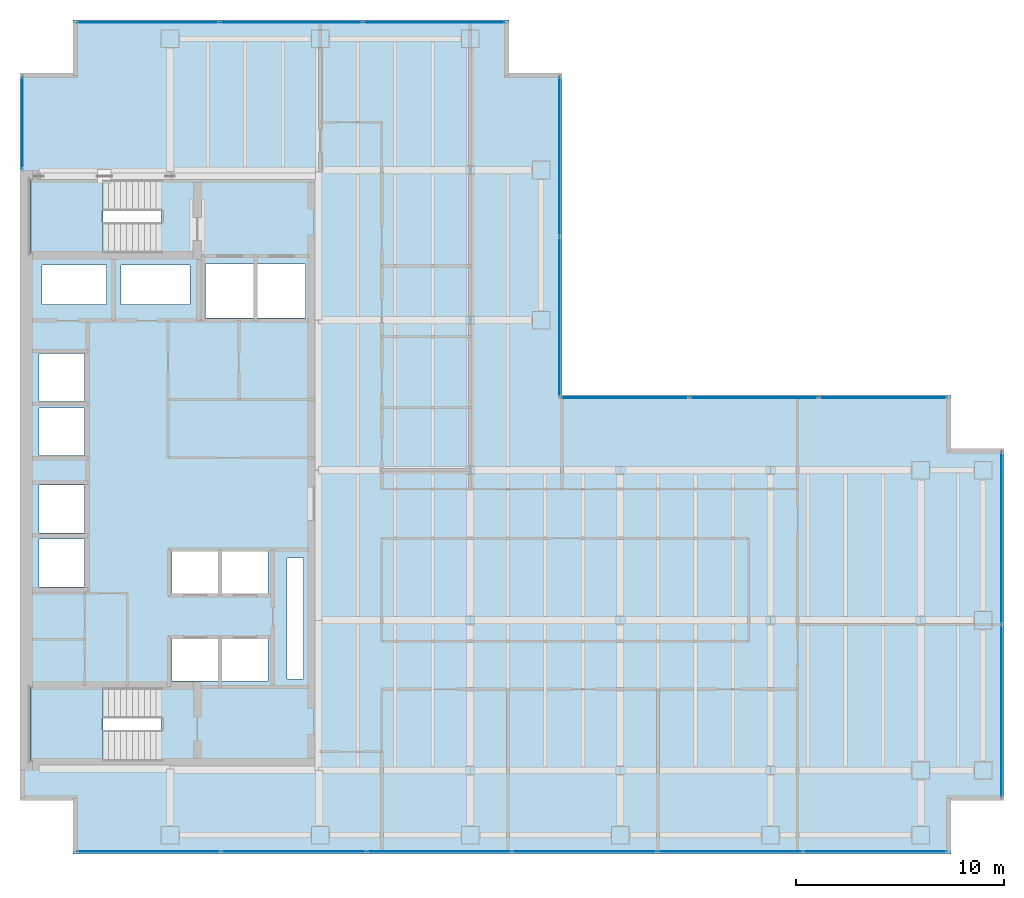
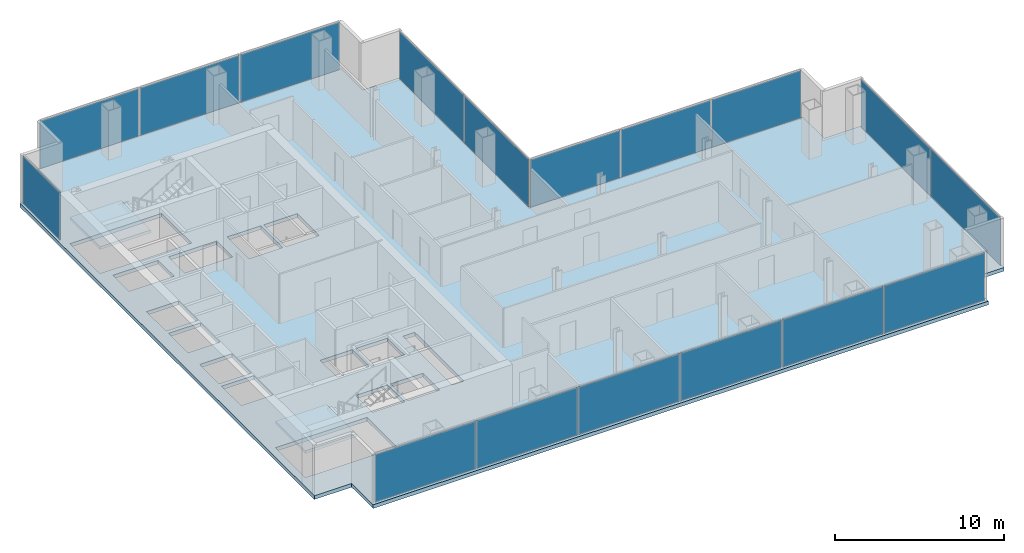
# One storey, part 19 of 23: 17 plates, 3 slabs, 15 openings, 8 elements without a shape of their own.
"""IFC4 building model written with IfcOpenShell, lengths in metres."""

import ifcopenshell
import ifcopenshell.guid

model = None  # the IFC model being written
_history = None  # IfcOwnerHistory: only IFC2X3 demands one
_inside = {}  # id of a spatial element -> (the spatial element, [elements in it])
_under = {}  # id of a project, library or spatial element -> (it, [spatial elements below it])
_declared = {}  # id of a project -> (the project, [libraries it declares])
_typed = {}  # id of a type object -> (the type object, [elements of that type])
_made_of = {}  # id of a material, layer set ... -> (it, [elements and type objects made of it])


def new_model(schema):
    """Start an empty IFC model of exactly this schema.

    Asked for "IFC4X3", IfcOpenShell would pick the latest addendum, in which some entities
    have other attributes; the version numbers below select the first issue.
    IFC2X3 requires an IfcOwnerHistory on every rooted entity: one is made here for all.
    """
    global model, _history
    if schema == "IFC4X3":
        model = ifcopenshell.file(schema_version=(4, 3, 0, 0))
    else:
        model = ifcopenshell.file(schema=schema)
    _inside.clear()
    _under.clear()
    _declared.clear()
    _typed.clear()
    _made_of.clear()
    _history = None
    if model.schema == "IFC2X3":
        org = make("IfcOrganization", Name="unknown")
        user = make(
            "IfcPersonAndOrganization",
            ThePerson=make("IfcPerson", FamilyName="unknown"),
            TheOrganization=org,
        )
        app = make(
            "IfcApplication",
            ApplicationDeveloper=org,
            Version="unknown",
            ApplicationFullName="unknown",
            ApplicationIdentifier="unknown",
        )
        _history = make(
            "IfcOwnerHistory",
            OwningUser=user,
            OwningApplication=app,
            ChangeAction="ADDED",
            CreationDate=0,
        )
    return model


def make(cls, **values):
    """One entity of the class cls with the attributes given. An attribute that is None is left unset."""
    return model.create_entity(
        cls, **{name: value for name, value in values.items() if value is not None}
    )


def rooted(cls, **values):
    """An entity with a GlobalId (a new one), such as an element, a storey or a relation."""
    return make(cls, GlobalId=ifcopenshell.guid.new(), OwnerHistory=_history, **values)


def si_unit(unit_type, name, prefix=None):
    """IfcSIUnit, for example si_unit("LENGTHUNIT", "METRE", prefix="MILLI")."""
    return make("IfcSIUnit", UnitType=unit_type, Prefix=prefix, Name=name)


def assignment(units):
    """IfcUnitAssignment: the units of a project."""
    return None if units is None else make("IfcUnitAssignment", Units=units)


def point(xyz):
    """IfcCartesianPoint."""
    return None if xyz is None else make("IfcCartesianPoint", Coordinates=xyz)


def direction(xyz):
    """IfcDirection."""
    return None if xyz is None else make("IfcDirection", DirectionRatios=xyz)


def frame(location, z_axis=None, x_axis=None):
    """IfcAxis2Placement3D, a coordinate frame: its origin and axes. An axis left out is left unset."""
    return make(
        "IfcAxis2Placement3D",
        Location=point(location),
        Axis=direction(z_axis),
        RefDirection=direction(x_axis),
    )


def frame_2d(location, x_axis=None):
    """IfcAxis2Placement2D, a coordinate frame in the plane: its origin and x axis."""
    return make(
        "IfcAxis2Placement2D", Location=point(location), RefDirection=direction(x_axis)
    )


def origin():
    """The frame at (0, 0, 0) with its axes left unset."""
    return frame((0.0, 0.0, 0.0))


def origin_2d():
    """The frame at (0, 0) in the plane with its x axis left unset."""
    return frame_2d((0.0, 0.0))


def place(relative_to, where):
    """IfcLocalPlacement: puts the frame where relative to a parent placement (None: the world)."""
    return make(
        "IfcLocalPlacement", PlacementRelTo=relative_to, RelativePlacement=where
    )


def context(
    kind, dimensions, precision=None, world=None, true_north=None, identifier=None
):
    """IfcGeometricRepresentationContext, for example the 3D "Model" context."""
    return make(
        "IfcGeometricRepresentationContext",
        ContextIdentifier=identifier,
        ContextType=kind,
        CoordinateSpaceDimension=dimensions,
        Precision=precision,
        WorldCoordinateSystem=world,
        TrueNorth=true_north,
    )


def subcontext(parent, identifier, kind, view, scale=None):
    """IfcGeometricRepresentationSubContext, for example "Body" below "Model"."""
    return make(
        "IfcGeometricRepresentationSubContext",
        ContextIdentifier=identifier,
        ContextType=kind,
        ParentContext=parent,
        TargetScale=scale,
        TargetView=view,
    )


def project(units=None, contexts=None):
    """IfcProject with its units and contexts."""
    return rooted(
        "IfcProject",
        Name="project",
        RepresentationContexts=contexts,
        UnitsInContext=assignment(units),
    )


def spatial(cls, under=None, at=None, **own):
    """A site, building, storey or space (cls), placed at a placement, below another one or the project."""
    s = rooted(cls, ObjectPlacement=at, **own)
    if under is not None:
        _under.setdefault(under.id(), (under, []))[1].append(s)
    return s


def polyline(points):
    """IfcPolyline through the points."""
    return make("IfcPolyline", Points=[point(p) for p in points])


def profile(cls, at=None, kind="AREA", **sizes):
    """A parametric profile (cls). Its sizes go by their IFC names, for example OverallWidth=200.0."""
    return make(cls, ProfileType=kind, Position=at, **sizes)


def rectangle(**sizes):
    """IfcRectangleProfileDef."""
    return profile("IfcRectangleProfileDef", **sizes)


def outline(outer, holes=None, kind="AREA"):
    """IfcArbitraryClosedProfileDef: a profile drawn as a closed curve; with holes, ...WithVoids."""
    if holes is None:
        return make("IfcArbitraryClosedProfileDef", ProfileType=kind, OuterCurve=outer)
    return make(
        "IfcArbitraryProfileDefWithVoids",
        ProfileType=kind,
        OuterCurve=outer,
        InnerCurves=holes,
    )


def extrude(swept, where, along, depth):
    """IfcExtrudedAreaSolid: the profile swept, set in the frame where, extruded along a direction by depth."""
    return make(
        "IfcExtrudedAreaSolid",
        SweptArea=swept,
        Position=where,
        ExtrudedDirection=direction(along),
        Depth=depth,
    )


def shape(context_of_items, identifier, shape_type, items):
    """IfcShapeRepresentation: the items that make up one representation, for example the "Body"."""
    return make(
        "IfcShapeRepresentation",
        ContextOfItems=context_of_items,
        RepresentationIdentifier=identifier,
        RepresentationType=shape_type,
        Items=items,
    )


def material(Name=None, Category=None):
    """IfcMaterial."""
    return make("IfcMaterial", Name=Name, Category=Category)


def layer(
    of_material, thickness, ventilated=None, Name=None, Category=None, Priority=None
):
    """IfcMaterialLayer: one layer of a wall or slab, of a material (None: an air gap)."""
    return make(
        "IfcMaterialLayer",
        Material=of_material,
        LayerThickness=thickness,
        IsVentilated=ventilated,
        Name=Name,
        Category=Category,
        Priority=Priority,
    )


def layer_set(layers, Name=None):
    """IfcMaterialLayerSet."""
    return make("IfcMaterialLayerSet", MaterialLayers=layers, LayerSetName=Name)


def made_of(thing, what):
    """Note that an element or type object is made of a material, layer set ...; save() writes the relation."""
    if what is not None:
        _made_of.setdefault(what.id(), (what, []))[1].append(thing)
    return thing


def type_object(cls, material=None, **own):
    """A type object (cls), such as IfcWallType, which elements share."""
    return made_of(rooted(cls, **own), material)


def element(
    cls,
    number,
    at=None,
    inside=None,
    cuts=None,
    type_object=None,
    material=None,
    context=None,
    identifier="Body",
    shape_type=None,
    held_by="IfcProductDefinitionShape",
    body=None,
    shapes=None,
    **own,
):
    """One element of the class cls, such as IfcWall. Its Tag is "e" and its number.

    at: its placement. inside: the storey or other place that contains it. cuts: it is an
    opening in that element (IfcRelVoidsElement). A single representation is given by context,
    identifier, shape_type and body (its items); several are given by shapes. held_by: the class
    of the entity that holds the representations. save() writes the other relations.
    """
    e = rooted(cls, Tag="e%d" % number, ObjectPlacement=at, **own)
    if body is not None:
        shapes = [shape(context, identifier, shape_type, body)]
    if shapes is not None:
        e.Representation = make(held_by, Representations=shapes)
    if inside is not None:
        _inside.setdefault(inside.id(), (inside, []))[1].append(e)
    if cuts is not None:
        rooted(
            "IfcRelVoidsElement", RelatingBuildingElement=cuts, RelatedOpeningElement=e
        )
    if type_object is not None:
        _typed.setdefault(type_object.id(), (type_object, []))[1].append(e)
    return made_of(e, material)


def aggregate(whole, parts):
    """IfcRelAggregates: a whole, such as a stair, and the parts it consists of."""
    return rooted("IfcRelAggregates", RelatingObject=whole, RelatedObjects=parts)


def save(model, path):
    """Write the relations noted so far, then the file.

    IfcRelAggregates (storeys below a building ...), IfcRelContainedInSpatialStructure (elements
    in a storey), IfcRelDefinesByType, IfcRelAssociatesMaterial and IfcRelDeclares: one each for
    every whole, place, type object, material and project.
    """
    for whole, parts in _under.values():
        aggregate(whole, parts)
    for where, things in _inside.values():
        rooted(
            "IfcRelContainedInSpatialStructure",
            RelatedElements=things,
            RelatingStructure=where,
        )
    for kind, things in _typed.values():
        rooted("IfcRelDefinesByType", RelatedObjects=things, RelatingType=kind)
    for what, things in _made_of.values():
        rooted("IfcRelAssociatesMaterial", RelatedObjects=things, RelatingMaterial=what)
    for by, libraries in _declared.values():
        rooted("IfcRelDeclares", RelatingContext=by, RelatedDefinitions=libraries)
    model.write(path)


model = new_model("IFC4")

# Units and contexts
model_context = context("Model", 3, precision=1e-05, world=origin(), true_north=direction((0.0, 1.0)))
body_context = subcontext(model_context, "Body", "Model", "MODEL_VIEW")
ifc_project = project(units=[si_unit("LENGTHUNIT", "METRE"), si_unit("AREAUNIT", "SQUARE_METRE"), si_unit("VOLUMEUNIT", "CUBIC_METRE"), si_unit("PLANEANGLEUNIT", "RADIAN"), si_unit("MASSUNIT", "GRAM", prefix="KILO")], contexts=[model_context])

# Site, building, storey
site_placement = place(None, origin())
site = spatial("IfcSite", under=ifc_project, at=site_placement, CompositionType="ELEMENT")
building_placement = place(site_placement, origin())
building = spatial("IfcBuilding", under=site, at=building_placement, Name="Cobrela Telecom Tower", CompositionType="ELEMENT")
storey_placement = place(building_placement, frame((0.0, 0.0, 133.0)))
storey = spatial("IfcBuildingStorey", under=building, at=storey_placement, Name="L33", CompositionType="ELEMENT", Elevation=133.0)

# Curtain wall, plate
ifc_material_1 = material(Name="Anodized Bronze Aluminium 6063-T6", Category="aluminium")
curtain_wall_type = type_object("IfcCurtainWallType", Name="CW-SYS-TEL", PredefinedType="USERDEFINED", material=ifc_material_1)
curtain_wall_1_placement = place(storey_placement, origin())
curtain_wall_1 = element("IfcCurtainWall", 1, at=curtain_wall_1_placement, inside=storey, type_object=curtain_wall_type, Name="L33 Unitised Bronze Curtain Wall 04", ObjectType="UNITISED CURTAIN WALL", PredefinedType="USERDEFINED")
ifc_material_2 = material(Name="Solar-Control Bronze Low-E Glass", Category="glass")
ifc_layer_1 = layer(ifc_material_2, 0.035888671875)
ifc_layer_set_1 = layer_set([ifc_layer_1], Name="Solar-Control Bronze Low-E Glass")
plate_type = type_object("IfcPlateType", Name="CW-SYS-TEL-PNL", PredefinedType="CURTAIN_PANEL", material=ifc_layer_set_1)
plate_1_placement = place(storey_placement, frame((0.1201171875, 38.264892578125, 0.070068359375), z_axis=(0.0, 0.0, 1.0), x_axis=(0.0, 1.0, 0.0)))
plate_1 = element("IfcPlate", 2, at=plate_1_placement, type_object=plate_type, Name="CW-TEL panel 1.1", PredefinedType="CURTAIN_PANEL", context=body_context, shape_type="SweptSolid", body=[
    extrude(rectangle(XDim=4.3798828125, YDim=0.035888671875, at=origin_2d()), origin(), (0.0, 0.0, 1.0), 3.43994140625),
])
aggregate(curtain_wall_1, [plate_1])

# Curtain wall, plates
curtain_wall_2_placement = place(storey_placement, origin())
curtain_wall_2 = element("IfcCurtainWall", 3, at=curtain_wall_2_placement, inside=storey, type_object=curtain_wall_type, Name="L33 Unitised Bronze Curtain Wall 07", ObjectType="UNITISED CURTAIN WALL", PredefinedType="USERDEFINED")
plate_2_placement = place(storey_placement, frame((6.132080078125, 43.080078125, 0.070068359375), z_axis=(0.0, 0.0, 1.0), x_axis=(1.0, 0.0, 0.0)))
plate_2 = element("IfcPlate", 4, at=plate_2_placement, type_object=plate_type, Name="CW-TEL panel 1.1", PredefinedType="CURTAIN_PANEL", context=body_context, shape_type="SweptSolid", body=[
    extrude(rectangle(XDim=6.774169921875, YDim=0.035888671875, at=origin_2d()), origin(), (0.0, 0.0, 1.0), 3.43994140625),
])
plate_3_placement = place(storey_placement, frame((13.0, 43.080078125, 0.070068359375), z_axis=(0.0, 0.0, 1.0), x_axis=(1.0, 0.0, 0.0)))
plate_3 = element("IfcPlate", 5, at=plate_3_placement, type_object=plate_type, Name="CW-TEL panel 2.1", PredefinedType="CURTAIN_PANEL", context=body_context, shape_type="SweptSolid", body=[
    extrude(rectangle(XDim=6.811767578125, YDim=0.035888671875, at=origin_2d()), origin(), (0.0, 0.0, 1.0), 3.43994140625),
])
plate_4_placement = place(storey_placement, frame((19.867919921875, 43.080078125, 0.070068359375), z_axis=(0.0, 0.0, 1.0), x_axis=(1.0, 0.0, 0.0)))
plate_4 = element("IfcPlate", 6, at=plate_4_placement, type_object=plate_type, Name="CW-TEL panel 3.1", PredefinedType="CURTAIN_PANEL", context=body_context, shape_type="SweptSolid", body=[
    extrude(rectangle(XDim=6.774169921875, YDim=0.035888671875, at=origin_2d()), origin(), (0.0, 0.0, 1.0), 3.43994140625),
])
aggregate(curtain_wall_2, [plate_2, plate_3, plate_4])

curtain_wall_3_placement = place(storey_placement, origin())
curtain_wall_3 = element("IfcCurtainWall", 7, at=curtain_wall_3_placement, inside=storey, type_object=curtain_wall_type, Name="L33 Unitised Bronze Curtain Wall 10", ObjectType="UNITISED CURTAIN WALL", PredefinedType="USERDEFINED")
plate_5_placement = place(storey_placement, frame((25.8798828125, 36.648681640625, 0.070068359375), z_axis=(0.0, 0.0, 1.0), x_axis=(0.0, -1.0, 0.0)))
plate_5 = element("IfcPlate", 8, at=plate_5_placement, type_object=plate_type, Name="CW-TEL panel 1.1", PredefinedType="CURTAIN_PANEL", context=body_context, shape_type="SweptSolid", body=[
    extrude(rectangle(XDim=7.612548828125, YDim=0.035888671875, at=origin_2d()), origin(), (0.0, 0.0, 1.0), 3.43994140625),
])
plate_6_placement = place(storey_placement, frame((25.8798828125, 28.961181640625, 0.070068359375), z_axis=(0.0, 0.0, 1.0), x_axis=(0.0, -1.0, 0.0)))
plate_6 = element("IfcPlate", 9, at=plate_6_placement, type_object=plate_type, Name="CW-TEL panel 2.1", PredefinedType="CURTAIN_PANEL", context=body_context, shape_type="SweptSolid", body=[
    extrude(rectangle(XDim=7.612548828125, YDim=0.035888671875, at=origin_2d()), origin(), (0.0, 0.0, 1.0), 3.43994140625),
])
aggregate(curtain_wall_3, [plate_5, plate_6])

curtain_wall_4_placement = place(storey_placement, origin())
curtain_wall_4 = element("IfcCurtainWall", 10, at=curtain_wall_4_placement, inside=storey, type_object=curtain_wall_type, Name="L33 Unitised Bronze Curtain Wall 11", ObjectType="UNITISED CURTAIN WALL", PredefinedType="USERDEFINED")
plate_7_placement = place(storey_placement, frame((29.007080078125, 25.080078125, 0.070068359375), z_axis=(0.0, 0.0, 1.0), x_axis=(1.0, 0.0, 0.0)))
plate_7 = element("IfcPlate", 11, at=plate_7_placement, type_object=plate_type, Name="CW-TEL panel 1.1", PredefinedType="CURTAIN_PANEL", context=body_context, shape_type="SweptSolid", body=[
    extrude(rectangle(XDim=6.104248046875, YDim=0.035888671875, at=origin_2d()), origin(), (0.0, 0.0, 1.0), 3.43994140625),
])
plate_8_placement = place(storey_placement, frame((35.205078125, 25.080078125, 0.070068359375), z_axis=(0.0, 0.0, 1.0), x_axis=(1.0, 0.0, 0.0)))
plate_8 = element("IfcPlate", 12, at=plate_8_placement, type_object=plate_type, Name="CW-TEL panel 2.1", PredefinedType="CURTAIN_PANEL", context=body_context, shape_type="SweptSolid", body=[
    extrude(rectangle(XDim=6.1416015625, YDim=0.035888671875, at=origin_2d()), origin(), (0.0, 0.0, 1.0), 3.43994140625),
])
plate_9_placement = place(storey_placement, frame((41.40283203125, 25.080078125, 0.070068359375), z_axis=(0.0, 0.0, 1.0), x_axis=(1.0, 0.0, 0.0)))
plate_9 = element("IfcPlate", 13, at=plate_9_placement, type_object=plate_type, Name="CW-TEL panel 3.1", PredefinedType="CURTAIN_PANEL", context=body_context, shape_type="SweptSolid", body=[
    extrude(rectangle(XDim=6.104248046875, YDim=0.035888671875, at=origin_2d()), origin(), (0.0, 0.0, 1.0), 3.43994140625),
])
aggregate(curtain_wall_4, [plate_7, plate_8, plate_9])

curtain_wall_5_placement = place(storey_placement, origin())
curtain_wall_5 = element("IfcCurtainWall", 14, at=curtain_wall_5_placement, inside=storey, type_object=curtain_wall_type, Name="L33 Unitised Bronze Curtain Wall 14", ObjectType="UNITISED CURTAIN WALL", PredefinedType="USERDEFINED")
plate_10_placement = place(storey_placement, frame((47.080078125, 18.34619140625, 0.070068359375), z_axis=(0.0, 0.0, 1.0), x_axis=(0.0, -1.0, 0.0)))
plate_10 = element("IfcPlate", 15, at=plate_10_placement, type_object=plate_type, Name="CW-TEL panel 1.1", PredefinedType="CURTAIN_PANEL", context=body_context, shape_type="SweptSolid", body=[
    extrude(rectangle(XDim=8.217529296875, YDim=0.035888671875, at=origin_2d()), origin(), (0.0, 0.0, 1.0), 3.43994140625),
])
plate_11_placement = place(storey_placement, frame((47.080078125, 10.0537109375, 0.070068359375), z_axis=(0.0, 0.0, 1.0), x_axis=(0.0, -1.0, 0.0)))
plate_11 = element("IfcPlate", 16, at=plate_11_placement, type_object=plate_type, Name="CW-TEL panel 2.1", PredefinedType="CURTAIN_PANEL", context=body_context, shape_type="SweptSolid", body=[
    extrude(rectangle(XDim=8.217529296875, YDim=0.035888671875, at=origin_2d()), origin(), (0.0, 0.0, 1.0), 3.43994140625),
])
aggregate(curtain_wall_5, [plate_10, plate_11])

curtain_wall_6_placement = place(storey_placement, origin())
curtain_wall_6 = element("IfcCurtainWall", 17, at=curtain_wall_6_placement, inside=storey, type_object=curtain_wall_type, Name="L33 Unitised Bronze Curtain Wall 17", ObjectType="UNITISED CURTAIN WALL", PredefinedType="USERDEFINED")
plate_12_placement = place(storey_placement, frame((41.02294921875, 3.320068359375, 0.070068359375), z_axis=(0.0, 0.0, 1.0), x_axis=(-1.0, 0.0, 0.0)))
plate_12 = element("IfcPlate", 18, at=plate_12_placement, type_object=plate_type, Name="CW-TEL panel 1.1", PredefinedType="CURTAIN_PANEL", context=body_context, shape_type="SweptSolid", body=[
    extrude(rectangle(XDim=6.8642578125, YDim=0.035888671875, at=origin_2d()), origin(), (0.0, 0.0, 1.0), 3.43994140625),
])
plate_13_placement = place(storey_placement, frame((34.06494140625, 3.320068359375, 0.070068359375), z_axis=(0.0, 0.0, 1.0), x_axis=(-1.0, 0.0, 0.0)))
plate_13 = element("IfcPlate", 19, at=plate_13_placement, type_object=plate_type, Name="CW-TEL panel 2.1", PredefinedType="CURTAIN_PANEL", context=body_context, shape_type="SweptSolid", body=[
    extrude(rectangle(XDim=6.901611328125, YDim=0.035888671875, at=origin_2d()), origin(), (0.0, 0.0, 1.0), 3.43994140625),
])
plate_14_placement = place(storey_placement, frame((27.08837890625, 3.320068359375, 0.070068359375), z_axis=(0.0, 0.0, 1.0), x_axis=(-1.0, 0.0, 0.0)))
plate_14 = element("IfcPlate", 20, at=plate_14_placement, type_object=plate_type, Name="CW-TEL panel 3.1", PredefinedType="CURTAIN_PANEL", context=body_context, shape_type="SweptSolid", body=[
    extrude(rectangle(XDim=6.901611328125, YDim=0.035888671875, at=origin_2d()), origin(), (0.0, 0.0, 1.0), 3.43994140625),
])
plate_15_placement = place(storey_placement, frame((20.111572265625, 3.320068359375, 0.070068359375), z_axis=(0.0, 0.0, 1.0), x_axis=(-1.0, 0.0, 0.0)))
plate_15 = element("IfcPlate", 21, at=plate_15_placement, type_object=plate_type, Name="CW-TEL panel 4.1", PredefinedType="CURTAIN_PANEL", context=body_context, shape_type="SweptSolid", body=[
    extrude(rectangle(XDim=6.901611328125, YDim=0.035888671875, at=origin_2d()), origin(), (0.0, 0.0, 1.0), 3.43994140625),
])
plate_16_placement = place(storey_placement, frame((13.135009765625, 3.320068359375, 0.070068359375), z_axis=(0.0, 0.0, 1.0), x_axis=(-1.0, 0.0, 0.0)))
plate_16 = element("IfcPlate", 22, at=plate_16_placement, type_object=plate_type, Name="CW-TEL panel 5.1", PredefinedType="CURTAIN_PANEL", context=body_context, shape_type="SweptSolid", body=[
    extrude(rectangle(XDim=6.901611328125, YDim=0.035888671875, at=origin_2d()), origin(), (0.0, 0.0, 1.0), 3.43994140625),
])
plate_17_placement = place(storey_placement, frame((6.177001953125, 3.320068359375, 0.070068359375), z_axis=(0.0, 0.0, 1.0), x_axis=(-1.0, 0.0, 0.0)))
plate_17 = element("IfcPlate", 23, at=plate_17_placement, type_object=plate_type, Name="CW-TEL panel 6.1", PredefinedType="CURTAIN_PANEL", context=body_context, shape_type="SweptSolid", body=[
    extrude(rectangle(XDim=6.8642578125, YDim=0.035888671875, at=origin_2d()), origin(), (0.0, 0.0, 1.0), 3.43994140625),
])
aggregate(curtain_wall_6, [plate_12, plate_13, plate_14, plate_15, plate_16, plate_17])

# Slab, openings
ifc_material_3 = material(Name="Concrete C40/50", Category="concrete")
ifc_layer_2 = layer(ifc_material_3, 0.27001953125)
ifc_layer_set_2 = layer_set([ifc_layer_2], Name="Concrete C40/50")
slab_type_1 = type_object("IfcSlabType", Name="SLAB-FLR-270", PredefinedType="FLOOR", material=ifc_layer_set_2)
slab_1_placement = place(storey_placement, frame((0.0, 0.0, -0.27001953125)))
slab_1 = element("IfcSlab", 24, at=slab_1_placement, inside=storey, type_object=slab_type_1, Name="L33 Structural Floor Slab", PredefinedType="FLOOR", context=body_context, shape_type="SweptSolid", body=[
    extrude(outline(polyline([(2.550048828125, 3.199951171875), (44.64990234375, 3.199951171875), (44.64990234375, 5.75), (47.199951171875, 5.75), (47.199951171875, 22.64990234375), (44.64990234375, 22.64990234375), (44.64990234375, 25.199951171875), (26.0, 25.199951171875), (26.0, 40.64990234375), (23.449951171875, 40.64990234375), (23.449951171875, 43.199951171875), (2.550048828125, 43.199951171875), (2.550048828125, 40.64990234375), (0.0, 40.64990234375), (0.0, 5.75), (2.550048828125, 5.75), (2.550048828125, 3.199951171875)])), origin(), (0.0, 0.0, 1.0), 0.27001953125),
])
opening_1_placement = place(slab_1_placement, frame((0.0, 0.0, -0.02001953125)))
element("IfcOpeningElement", 25, at=opening_1_placement, cuts=slab_1, Name="Slab Shaft Opening SLAB-L33-MAIN.1", PredefinedType="OPENING", context=body_context, shape_type="SweptSolid", body=[
    extrude(outline(polyline([(8.89990234375, 28.89990234375), (11.199951171875, 28.89990234375), (11.199951171875, 31.5), (8.89990234375, 31.5), (8.89990234375, 28.89990234375)])), origin(), (0.0, 0.0, 1.0), 0.31005859375),
])
opening_2_placement = place(slab_1_placement, frame((0.0, 0.0, -0.02001953125)))
element("IfcOpeningElement", 26, at=opening_2_placement, cuts=slab_1, Name="Slab Shaft Opening SLAB-L33-MAIN.2", PredefinedType="OPENING", context=body_context, shape_type="SweptSolid", body=[
    extrude(outline(polyline([(11.39990234375, 28.89990234375), (13.699951171875, 28.89990234375), (13.699951171875, 31.5), (11.39990234375, 31.5), (11.39990234375, 28.89990234375)])), origin(), (0.0, 0.0, 1.0), 0.31005859375),
])
opening_3_placement = place(slab_1_placement, frame((0.0, 0.0, -0.02001953125)))
element("IfcOpeningElement", 27, at=opening_3_placement, cuts=slab_1, Name="Slab Shaft Opening SLAB-L33-MAIN.3", PredefinedType="OPENING", context=body_context, shape_type="SweptSolid", body=[
    extrude(outline(polyline([(7.300048828125, 15.699951171875), (9.5, 15.699951171875), (9.5, 17.699951171875), (7.300048828125, 17.699951171875), (7.300048828125, 15.699951171875)])), origin(), (0.0, 0.0, 1.0), 0.31005859375),
])
opening_4_placement = place(slab_1_placement, frame((0.0, 0.0, -0.02001953125)))
element("IfcOpeningElement", 28, at=opening_4_placement, cuts=slab_1, Name="Slab Shaft Opening SLAB-L33-MAIN.4", PredefinedType="OPENING", context=body_context, shape_type="SweptSolid", body=[
    extrude(outline(polyline([(9.699951171875, 15.699951171875), (11.89990234375, 15.699951171875), (11.89990234375, 17.699951171875), (9.699951171875, 17.699951171875), (9.699951171875, 15.699951171875)])), origin(), (0.0, 0.0, 1.0), 0.31005859375),
])
opening_5_placement = place(slab_1_placement, frame((0.0, 0.0, -0.02001953125)))
element("IfcOpeningElement", 29, at=opening_5_placement, cuts=slab_1, Name="Slab Shaft Opening SLAB-L33-MAIN.5", PredefinedType="OPENING", context=body_context, shape_type="SweptSolid", body=[
    extrude(outline(polyline([(7.300048828125, 11.5), (9.5, 11.5), (9.5, 13.5), (7.300048828125, 13.5), (7.300048828125, 11.5)])), origin(), (0.0, 0.0, 1.0), 0.31005859375),
])
opening_6_placement = place(slab_1_placement, frame((0.0, 0.0, -0.02001953125)))
element("IfcOpeningElement", 30, at=opening_6_placement, cuts=slab_1, Name="Slab Shaft Opening SLAB-L33-MAIN.6", PredefinedType="OPENING", context=body_context, shape_type="SweptSolid", body=[
    extrude(outline(polyline([(9.699951171875, 11.5), (11.89990234375, 11.5), (11.89990234375, 13.5), (9.699951171875, 13.5), (9.699951171875, 11.5)])), origin(), (0.0, 0.0, 1.0), 0.31005859375),
])
opening_7_placement = place(slab_1_placement, frame((0.0, 0.0, -0.02001953125)))
element("IfcOpeningElement", 31, at=opening_7_placement, cuts=slab_1, Name="Slab Shaft Opening SLAB-L33-MAIN.7", PredefinedType="OPENING", context=body_context, shape_type="SweptSolid", body=[
    extrude(outline(polyline([(0.89990234375, 16.0), (3.10009765625, 16.0), (3.10009765625, 18.300048828125), (0.89990234375, 18.300048828125), (0.89990234375, 16.0)])), origin(), (0.0, 0.0, 1.0), 0.31005859375),
])
opening_8_placement = place(slab_1_placement, frame((0.0, 0.0, -0.02001953125)))
element("IfcOpeningElement", 32, at=opening_8_placement, cuts=slab_1, Name="Slab Shaft Opening SLAB-L33-MAIN.8", PredefinedType="OPENING", context=body_context, shape_type="SweptSolid", body=[
    extrude(outline(polyline([(0.89990234375, 18.60009765625), (3.10009765625, 18.60009765625), (3.10009765625, 20.89990234375), (0.89990234375, 20.89990234375), (0.89990234375, 18.60009765625)])), origin(), (0.0, 0.0, 1.0), 0.31005859375),
])
opening_9_placement = place(slab_1_placement, frame((0.0, 0.0, -0.02001953125)))
element("IfcOpeningElement", 33, at=opening_9_placement, cuts=slab_1, Name="Slab Shaft Opening SLAB-L33-MAIN.9", PredefinedType="OPENING", context=body_context, shape_type="SweptSolid", body=[
    extrude(outline(polyline([(0.89990234375, 22.300048828125), (3.10009765625, 22.300048828125), (3.10009765625, 24.60009765625), (0.89990234375, 24.60009765625), (0.89990234375, 22.300048828125)])), origin(), (0.0, 0.0, 1.0), 0.31005859375),
])
opening_10_placement = place(slab_1_placement, frame((0.0, 0.0, -0.02001953125)))
element("IfcOpeningElement", 34, at=opening_10_placement, cuts=slab_1, Name="Slab Shaft Opening SLAB-L33-MAIN.10", PredefinedType="OPENING", context=body_context, shape_type="SweptSolid", body=[
    extrude(outline(polyline([(0.89990234375, 24.89990234375), (3.10009765625, 24.89990234375), (3.10009765625, 27.199951171875), (0.89990234375, 27.199951171875), (0.89990234375, 24.89990234375)])), origin(), (0.0, 0.0, 1.0), 0.31005859375),
])
opening_11_placement = place(slab_1_placement, frame((0.0, 0.0, -0.02001953125)))
element("IfcOpeningElement", 35, at=opening_11_placement, cuts=slab_1, Name="Slab Shaft Opening SLAB-L33-MAIN.11", PredefinedType="OPENING", context=body_context, shape_type="SweptSolid", body=[
    extrude(outline(polyline([(1.050048828125, 29.550048828125), (4.14990234375, 29.550048828125), (4.14990234375, 31.449951171875), (1.050048828125, 31.449951171875), (1.050048828125, 29.550048828125)])), origin(), (0.0, 0.0, 1.0), 0.31005859375),
])
opening_12_placement = place(slab_1_placement, frame((0.0, 0.0, -0.02001953125)))
element("IfcOpeningElement", 36, at=opening_12_placement, cuts=slab_1, Name="Slab Shaft Opening SLAB-L33-MAIN.12", PredefinedType="OPENING", context=body_context, shape_type="SweptSolid", body=[
    extrude(outline(polyline([(4.85009765625, 29.550048828125), (8.14990234375, 29.550048828125), (8.14990234375, 31.449951171875), (4.85009765625, 31.449951171875), (4.85009765625, 29.550048828125)])), origin(), (0.0, 0.0, 1.0), 0.31005859375),
])
opening_13_placement = place(slab_1_placement, frame((0.0, 0.0, -0.02001953125)))
element("IfcOpeningElement", 37, at=opening_13_placement, cuts=slab_1, Name="Slab Shaft Opening SLAB-L33-MAIN.13", PredefinedType="OPENING", context=body_context, shape_type="SweptSolid", body=[
    extrude(outline(polyline([(12.800048828125, 11.60009765625), (13.60009765625, 11.60009765625), (13.60009765625, 17.39990234375), (12.800048828125, 17.39990234375), (12.800048828125, 11.60009765625)])), origin(), (0.0, 0.0, 1.0), 0.31005859375),
])
opening_14_placement = place(slab_1_placement, frame((0.0, 0.0, -0.02001953125)))
element("IfcOpeningElement", 38, at=opening_14_placement, cuts=slab_1, Name="Slab Shaft Opening SLAB-L33-MAIN.14", PredefinedType="OPENING", context=body_context, shape_type="SweptSolid", body=[
    extrude(outline(polyline([(6.7548828125, 35.550048828125), (0.47998046875, 35.550048828125), (0.47998046875, 32.0), (6.7548828125, 32.0), (6.7548828125, 35.550048828125)])), origin(), (0.0, 0.0, 1.0), 0.31005859375),
])
opening_15_placement = place(slab_1_placement, frame((0.0, 0.0, -0.02001953125)))
element("IfcOpeningElement", 39, at=opening_15_placement, cuts=slab_1, Name="Slab Shaft Opening SLAB-L33-MAIN.15", PredefinedType="OPENING", context=body_context, shape_type="SweptSolid", body=[
    extrude(outline(polyline([(6.7548828125, 11.199951171875), (0.47998046875, 11.199951171875), (0.47998046875, 7.64990234375), (6.7548828125, 7.64990234375), (6.7548828125, 11.199951171875)])), origin(), (0.0, 0.0, 1.0), 0.31005859375),
])

# Stair, slab
stair_type = type_object("IfcStairType", Name="STAIR-CORE", PredefinedType="HALF_TURN_STAIR", material=ifc_material_3)
stair_1_placement = place(storey_placement, origin())
stair_1 = element("IfcStair", 40, at=stair_1_placement, inside=storey, type_object=stair_type, Name="L33 Smokeproof Exit Stair ST1", PredefinedType="HALF_TURN_STAIR")
ifc_layer_3 = layer(ifc_material_3, 0.199951171875)
ifc_layer_set_3 = layer_set([ifc_layer_3], Name="Concrete C40/50")
slab_type_2 = type_object("IfcSlabType", Name="SLAB-LAND-200", PredefinedType="LANDING", material=ifc_layer_set_3)
slab_2_placement = place(storey_placement, frame((0.0, 0.0, 1.72509765625)))
slab_2 = element("IfcSlab", 41, at=slab_2_placement, type_object=slab_type_2, Name="ST1 landing 1", PredefinedType="LANDING", context=body_context, shape_type="SweptSolid", body=[
    extrude(outline(polyline([(3.969970703125, 35.550048828125), (0.47998046875, 35.550048828125), (0.47998046875, 32.0), (3.969970703125, 32.0), (3.969970703125, 35.550048828125)])), origin(), (0.0, 0.0, 1.0), 0.199951171875),
])
aggregate(stair_1, [slab_2])

stair_2_placement = place(storey_placement, origin())
stair_2 = element("IfcStair", 42, at=stair_2_placement, inside=storey, type_object=stair_type, Name="L33 Smokeproof Exit Stair ST2", PredefinedType="HALF_TURN_STAIR")
slab_3_placement = place(storey_placement, frame((0.0, 0.0, 1.72509765625)))
slab_3 = element("IfcSlab", 43, at=slab_3_placement, type_object=slab_type_2, Name="ST2 landing 1", PredefinedType="LANDING", context=body_context, shape_type="SweptSolid", body=[
    extrude(outline(polyline([(3.969970703125, 11.199951171875), (0.47998046875, 11.199951171875), (0.47998046875, 7.64990234375), (3.969970703125, 7.64990234375), (3.969970703125, 11.199951171875)])), origin(), (0.0, 0.0, 1.0), 0.199951171875),
])
aggregate(stair_2, [slab_3])

save(model, "model.ifc")
